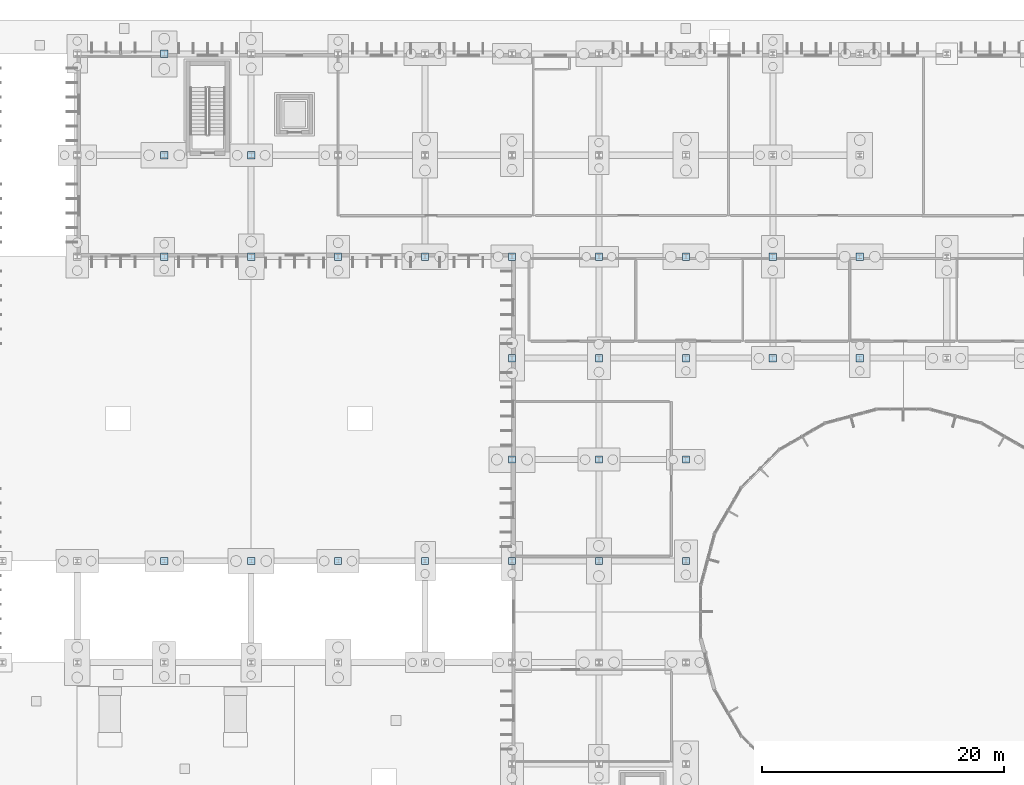
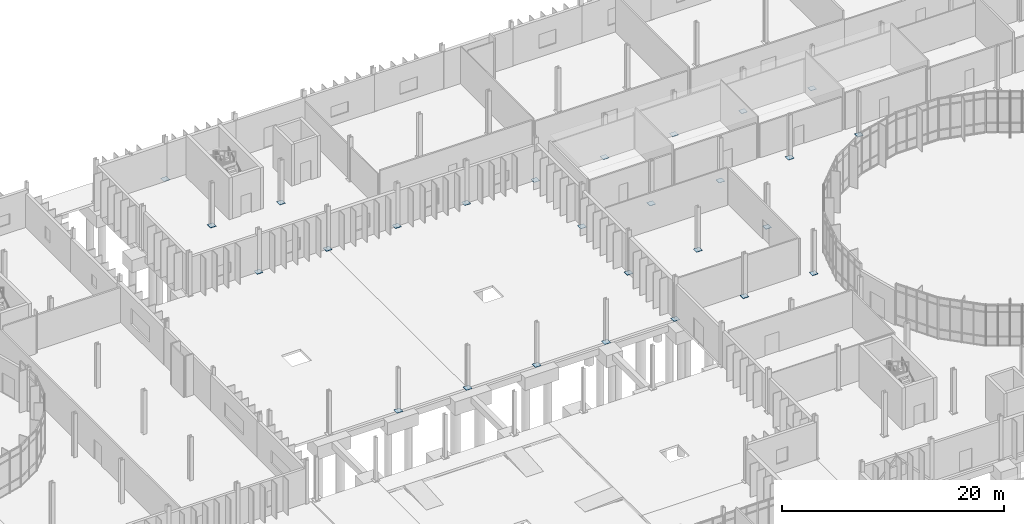
# One storey, part 82 of 118: 27 plates.
"""IFC4 building model written with IfcOpenShell, lengths in metres."""

import ifcopenshell
import ifcopenshell.guid

model = None  # the IFC model being written
_history = None  # IfcOwnerHistory: only IFC2X3 demands one
_inside = {}  # id of a spatial element -> (the spatial element, [elements in it])
_under = {}  # id of a project, library or spatial element -> (it, [spatial elements below it])
_declared = {}  # id of a project -> (the project, [libraries it declares])
_typed = {}  # id of a type object -> (the type object, [elements of that type])
_made_of = {}  # id of a material, layer set ... -> (it, [elements and type objects made of it])


def new_model(schema):
    """Start an empty IFC model of exactly this schema.

    Asked for "IFC4X3", IfcOpenShell would pick the latest addendum, in which some entities
    have other attributes; the version numbers below select the first issue.
    IFC2X3 requires an IfcOwnerHistory on every rooted entity: one is made here for all.
    """
    global model, _history
    if schema == "IFC4X3":
        model = ifcopenshell.file(schema_version=(4, 3, 0, 0))
    else:
        model = ifcopenshell.file(schema=schema)
    _inside.clear()
    _under.clear()
    _declared.clear()
    _typed.clear()
    _made_of.clear()
    _history = None
    if model.schema == "IFC2X3":
        org = make("IfcOrganization", Name="unknown")
        user = make(
            "IfcPersonAndOrganization",
            ThePerson=make("IfcPerson", FamilyName="unknown"),
            TheOrganization=org,
        )
        app = make(
            "IfcApplication",
            ApplicationDeveloper=org,
            Version="unknown",
            ApplicationFullName="unknown",
            ApplicationIdentifier="unknown",
        )
        _history = make(
            "IfcOwnerHistory",
            OwningUser=user,
            OwningApplication=app,
            ChangeAction="ADDED",
            CreationDate=0,
        )
    return model


def make(cls, **values):
    """One entity of the class cls with the attributes given. An attribute that is None is left unset."""
    return model.create_entity(
        cls, **{name: value for name, value in values.items() if value is not None}
    )


def rooted(cls, **values):
    """An entity with a GlobalId (a new one), such as an element, a storey or a relation."""
    return make(cls, GlobalId=ifcopenshell.guid.new(), OwnerHistory=_history, **values)


def si_unit(unit_type, name, prefix=None):
    """IfcSIUnit, for example si_unit("LENGTHUNIT", "METRE", prefix="MILLI")."""
    return make("IfcSIUnit", UnitType=unit_type, Prefix=prefix, Name=name)


def assignment(units):
    """IfcUnitAssignment: the units of a project."""
    return None if units is None else make("IfcUnitAssignment", Units=units)


def point(xyz):
    """IfcCartesianPoint."""
    return None if xyz is None else make("IfcCartesianPoint", Coordinates=xyz)


def direction(xyz):
    """IfcDirection."""
    return None if xyz is None else make("IfcDirection", DirectionRatios=xyz)


def frame(location, z_axis=None, x_axis=None):
    """IfcAxis2Placement3D, a coordinate frame: its origin and axes. An axis left out is left unset."""
    return make(
        "IfcAxis2Placement3D",
        Location=point(location),
        Axis=direction(z_axis),
        RefDirection=direction(x_axis),
    )


def frame_2d(location, x_axis=None):
    """IfcAxis2Placement2D, a coordinate frame in the plane: its origin and x axis."""
    return make(
        "IfcAxis2Placement2D", Location=point(location), RefDirection=direction(x_axis)
    )


def origin():
    """The frame at (0, 0, 0) with its axes left unset."""
    return frame((0.0, 0.0, 0.0))


def origin_2d():
    """The frame at (0, 0) in the plane with its x axis left unset."""
    return frame_2d((0.0, 0.0))


def place(relative_to, where):
    """IfcLocalPlacement: puts the frame where relative to a parent placement (None: the world)."""
    return make(
        "IfcLocalPlacement", PlacementRelTo=relative_to, RelativePlacement=where
    )


def context(
    kind, dimensions, precision=None, world=None, true_north=None, identifier=None
):
    """IfcGeometricRepresentationContext, for example the 3D "Model" context."""
    return make(
        "IfcGeometricRepresentationContext",
        ContextIdentifier=identifier,
        ContextType=kind,
        CoordinateSpaceDimension=dimensions,
        Precision=precision,
        WorldCoordinateSystem=world,
        TrueNorth=true_north,
    )


def subcontext(parent, identifier, kind, view, scale=None):
    """IfcGeometricRepresentationSubContext, for example "Body" below "Model"."""
    return make(
        "IfcGeometricRepresentationSubContext",
        ContextIdentifier=identifier,
        ContextType=kind,
        ParentContext=parent,
        TargetScale=scale,
        TargetView=view,
    )


def project(units=None, contexts=None):
    """IfcProject with its units and contexts."""
    return rooted(
        "IfcProject",
        Name="project",
        RepresentationContexts=contexts,
        UnitsInContext=assignment(units),
    )


def spatial(cls, under=None, at=None, **own):
    """A site, building, storey or space (cls), placed at a placement, below another one or the project."""
    s = rooted(cls, ObjectPlacement=at, **own)
    if under is not None:
        _under.setdefault(under.id(), (under, []))[1].append(s)
    return s


def profile(cls, at=None, kind="AREA", **sizes):
    """A parametric profile (cls). Its sizes go by their IFC names, for example OverallWidth=200.0."""
    return make(cls, ProfileType=kind, Position=at, **sizes)


def rectangle(**sizes):
    """IfcRectangleProfileDef."""
    return profile("IfcRectangleProfileDef", **sizes)


def extrude(swept, where, along, depth):
    """IfcExtrudedAreaSolid: the profile swept, set in the frame where, extruded along a direction by depth."""
    return make(
        "IfcExtrudedAreaSolid",
        SweptArea=swept,
        Position=where,
        ExtrudedDirection=direction(along),
        Depth=depth,
    )


def shape(context_of_items, identifier, shape_type, items):
    """IfcShapeRepresentation: the items that make up one representation, for example the "Body"."""
    return make(
        "IfcShapeRepresentation",
        ContextOfItems=context_of_items,
        RepresentationIdentifier=identifier,
        RepresentationType=shape_type,
        Items=items,
    )


def material(Name=None, Category=None):
    """IfcMaterial."""
    return make("IfcMaterial", Name=Name, Category=Category)


def layer(
    of_material, thickness, ventilated=None, Name=None, Category=None, Priority=None
):
    """IfcMaterialLayer: one layer of a wall or slab, of a material (None: an air gap)."""
    return make(
        "IfcMaterialLayer",
        Material=of_material,
        LayerThickness=thickness,
        IsVentilated=ventilated,
        Name=Name,
        Category=Category,
        Priority=Priority,
    )


def layer_set(layers, Name=None):
    """IfcMaterialLayerSet."""
    return make("IfcMaterialLayerSet", MaterialLayers=layers, LayerSetName=Name)


def made_of(thing, what):
    """Note that an element or type object is made of a material, layer set ...; save() writes the relation."""
    if what is not None:
        _made_of.setdefault(what.id(), (what, []))[1].append(thing)
    return thing


def type_object(cls, material=None, **own):
    """A type object (cls), such as IfcWallType, which elements share."""
    return made_of(rooted(cls, **own), material)


def element(
    cls,
    number,
    at=None,
    inside=None,
    cuts=None,
    type_object=None,
    material=None,
    context=None,
    identifier="Body",
    shape_type=None,
    held_by="IfcProductDefinitionShape",
    body=None,
    shapes=None,
    **own,
):
    """One element of the class cls, such as IfcWall. Its Tag is "e" and its number.

    at: its placement. inside: the storey or other place that contains it. cuts: it is an
    opening in that element (IfcRelVoidsElement). A single representation is given by context,
    identifier, shape_type and body (its items); several are given by shapes. held_by: the class
    of the entity that holds the representations. save() writes the other relations.
    """
    e = rooted(cls, Tag="e%d" % number, ObjectPlacement=at, **own)
    if body is not None:
        shapes = [shape(context, identifier, shape_type, body)]
    if shapes is not None:
        e.Representation = make(held_by, Representations=shapes)
    if inside is not None:
        _inside.setdefault(inside.id(), (inside, []))[1].append(e)
    if cuts is not None:
        rooted(
            "IfcRelVoidsElement", RelatingBuildingElement=cuts, RelatedOpeningElement=e
        )
    if type_object is not None:
        _typed.setdefault(type_object.id(), (type_object, []))[1].append(e)
    return made_of(e, material)


def aggregate(whole, parts):
    """IfcRelAggregates: a whole, such as a stair, and the parts it consists of."""
    return rooted("IfcRelAggregates", RelatingObject=whole, RelatedObjects=parts)


def save(model, path):
    """Write the relations noted so far, then the file.

    IfcRelAggregates (storeys below a building ...), IfcRelContainedInSpatialStructure (elements
    in a storey), IfcRelDefinesByType, IfcRelAssociatesMaterial and IfcRelDeclares: one each for
    every whole, place, type object, material and project.
    """
    for whole, parts in _under.values():
        aggregate(whole, parts)
    for where, things in _inside.values():
        rooted(
            "IfcRelContainedInSpatialStructure",
            RelatedElements=things,
            RelatingStructure=where,
        )
    for kind, things in _typed.values():
        rooted("IfcRelDefinesByType", RelatedObjects=things, RelatingType=kind)
    for what, things in _made_of.values():
        rooted("IfcRelAssociatesMaterial", RelatedObjects=things, RelatingMaterial=what)
    for by, libraries in _declared.values():
        rooted("IfcRelDeclares", RelatingContext=by, RelatedDefinitions=libraries)
    model.write(path)


model = new_model("IFC4")

# Units and contexts
model_context = context("Model", 3, precision=1e-05, world=origin(), true_north=direction((0.0, 1.0)))
body_context = subcontext(model_context, "Body", "Model", "MODEL_VIEW")
ifc_project = project(units=[si_unit("LENGTHUNIT", "METRE"), si_unit("AREAUNIT", "SQUARE_METRE"), si_unit("VOLUMEUNIT", "CUBIC_METRE"), si_unit("PLANEANGLEUNIT", "RADIAN"), si_unit("MASSUNIT", "GRAM", prefix="KILO")], contexts=[model_context])

# Site, building, storey
site_placement = place(None, origin())
site = spatial("IfcSite", under=ifc_project, at=site_placement, CompositionType="ELEMENT")
building_placement = place(site_placement, origin())
building = spatial("IfcBuilding", under=site, at=building_placement, Name="Qelthora Terrace Specialist Clinic", CompositionType="ELEMENT")
storey_placement = place(building_placement, origin())
storey = spatial("IfcBuildingStorey", under=building, at=storey_placement, Name="L00", CompositionType="ELEMENT", Elevation=0.0)

# Plates
ifc_material = material(Name="Steel S355", Category="steel")
ifc_layer = layer(ifc_material, 0.030029296875)
ifc_layer_set = layer_set([ifc_layer], Name="Steel S355")
plate_type = type_object("IfcPlateType", Name="PLT-BASE-600X600X30", PredefinedType="USERDEFINED", material=ifc_layer_set)
for number, where, z_axis, x_axis, name in (
    (1, (64.800048828125, 67.199951171875, 0.0), (0.0, 0.0, 1.0), (1.0, 0.0, 0.0), "Steel column base plate BPLT-085"),
    (2, (64.800048828125, 92.39990234375, 0.0), (0.0, 0.0, 1.0), (1.0, 0.0, 0.0), "Steel column base plate BPLT-086"),
    (3, (64.800048828125, 100.800048828125, 0.0), (0.0, 0.0, 1.0), (1.0, 0.0, 0.0), "Steel column base plate BPLT-087"),
    (4, (64.800048828125, 109.199951171875, 0.0), (0.0, 0.0, 1.0), (1.0, 0.0, 0.0), "Steel column base plate BPLT-088"),
    (5, (72.0, 67.199951171875, 0.0), (0.0, 0.0, 1.0), (1.0, 0.0, 0.0), "Steel column base plate BPLT-093"),
    (6, (72.0, 92.39990234375, 0.0), (0.0, 0.0, 1.0), (1.0, 0.0, 0.0), "Steel column base plate BPLT-094"),
    (7, (72.0, 100.800048828125, 0.0), (0.0, 0.0, 1.0), (1.0, 0.0, 0.0), "Steel column base plate BPLT-095"),
    (8, (79.199951171875, 67.199951171875, 0.0), (0.0, 0.0, 1.0), (1.0, 0.0, 0.0), "Steel column base plate BPLT-101"),
    (9, (79.199951171875, 92.39990234375, 0.0), (0.0, 0.0, 1.0), (1.0, 0.0, 0.0), "Steel column base plate BPLT-102"),
    (10, (86.39990234375, 67.199951171875, 0.0), (0.0, 0.0, 1.0), (1.0, 0.0, 0.0), "Steel column base plate BPLT-110"),
    (11, (86.39990234375, 92.39990234375, 0.0), (0.0, 0.0, 1.0), (1.0, 0.0, 0.0), "Steel column base plate BPLT-111"),
    (12, (93.60009765625, 67.199951171875, 0.0), (0.0, 0.0, 1.0), (1.0, 0.0, 0.0), "Steel column base plate BPLT-122"),
    (13, (93.60009765625, 75.60009765625, 0.0), (0.0, 0.0, 1.0), (1.0, 0.0, 0.0), "Steel column base plate BPLT-123"),
    (14, (93.60009765625, 84.0, 0.0), (0.0, 0.0, 1.0), (1.0, 0.0, 0.0), "Steel column base plate BPLT-124"),
    (15, (93.60009765625, 92.39990234375, 0.0), (0.0, 0.0, 1.0), (1.0, 0.0, 0.0), "Steel column base plate BPLT-125"),
    (16, (100.800048828125, 67.199951171875, 0.0), (0.0, 0.0, 1.0), (1.0, 0.0, 0.0), "Steel column base plate BPLT-136"),
    (17, (100.800048828125, 75.60009765625, 0.0), (0.0, 0.0, 1.0), (1.0, 0.0, 0.0), "Steel column base plate BPLT-137"),
    (18, (100.800048828125, 84.0, 0.0), (0.0, 0.0, 1.0), (1.0, 0.0, 0.0), "Steel column base plate BPLT-138"),
    (19, (100.800048828125, 92.39990234375, 0.0), (0.0, 0.0, 1.0), (1.0, 0.0, 0.0), "Steel column base plate BPLT-139"),
    (20, (108.0, 67.199951171875, 0.0), (0.0, 0.0, 1.0), (1.0, 0.0, 0.0), "Steel column base plate BPLT-150"),
    (21, (108.0, 75.60009765625, 0.0), (0.0, 0.0, 1.0), (1.0, 0.0, 0.0), "Steel column base plate BPLT-151"),
    (22, (108.0, 84.0, 0.0), (0.0, 0.0, 1.0), (1.0, 0.0, 0.0), "Steel column base plate BPLT-152"),
    (23, (108.0, 92.39990234375, 0.0), (0.0, 0.0, 1.0), (1.0, 0.0, 0.0), "Steel column base plate BPLT-153"),
    (24, (115.199951171875, 84.0, 0.0), (0.0, 0.0, 1.0), (1.0, 0.0, 0.0), "Steel column base plate BPLT-161"),
    (25, (115.199951171875, 92.39990234375, 0.0), (0.0, 0.0, 1.0), (1.0, 0.0, 0.0), "Steel column base plate BPLT-162"),
    (26, (122.39990234375, 84.0, 0.0), (0.0, 0.0, 1.0), (1.0, 0.0, 0.0), "Steel column base plate BPLT-170"),
    (27, (122.39990234375, 92.39990234375, 0.0), (0.0, 0.0, 1.0), (1.0, 0.0, 0.0), "Steel column base plate BPLT-171"),
):
    element("IfcPlate", number, at=place(storey_placement, frame(where, z_axis=z_axis, x_axis=x_axis)), inside=storey, type_object=plate_type, Name=name, ObjectType="GUSSET PLATE", PredefinedType="USERDEFINED", context=body_context, shape_type="SweptSolid", body=[
        extrude(rectangle(XDim=0.60009765625, YDim=0.60009765625, at=origin_2d()), origin(), (0.0, 0.0, 1.0), 0.030029296875),
    ])

save(model, "model.ifc")
